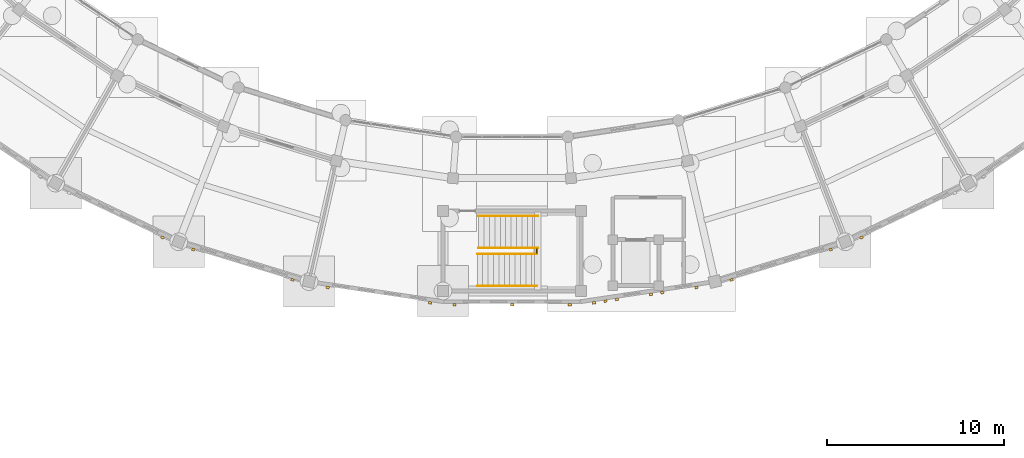
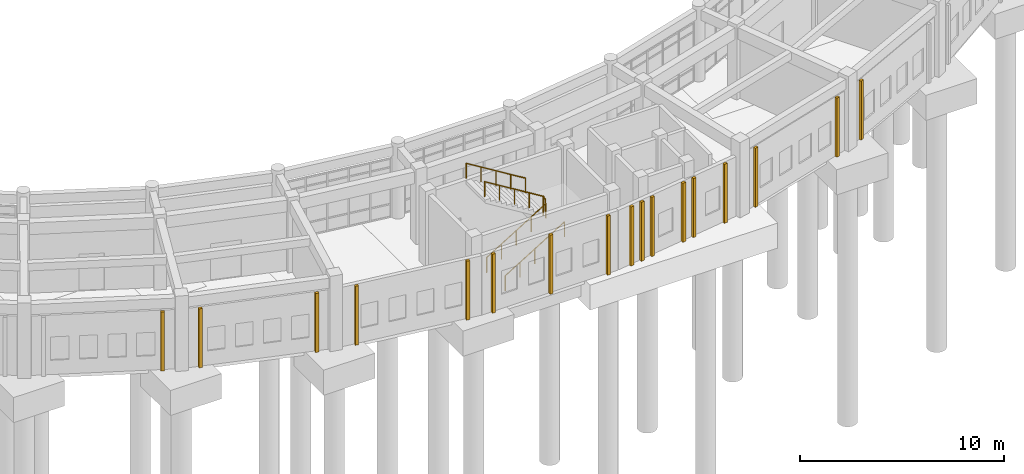
# One storey, part 143 of 153: 17 coverings, 5 railings.
"""IFC4 building model written with IfcOpenShell, lengths in metres."""

from ifc_helpers import new_model, si_unit, direction, frame, origin, origin_2d, place, context, subcontext, project, spatial, rectangle, circle, extrude, material, layer, layer_set, type_object, element, save


model = new_model("IFC4")

# Units and contexts
model_context = context("Model", 3, precision=1e-05, world=origin(), true_north=direction((0.0, 1.0)))
body_context = subcontext(model_context, "Body", "Model", "MODEL_VIEW")
ifc_project = project(units=[si_unit("LENGTHUNIT", "METRE"), si_unit("AREAUNIT", "SQUARE_METRE"), si_unit("VOLUMEUNIT", "CUBIC_METRE"), si_unit("PLANEANGLEUNIT", "RADIAN"), si_unit("MASSUNIT", "GRAM", prefix="KILO")], contexts=[model_context])

# Site, building, storey
site_placement = place(None, origin())
site = spatial("IfcSite", under=ifc_project, at=site_placement, CompositionType="ELEMENT")
building_placement = place(site_placement, origin())
building = spatial("IfcBuilding", under=site, at=building_placement, Name="Celadon Cloister-Ring School", CompositionType="ELEMENT")
storey_placement = place(building_placement, origin())
storey = spatial("IfcBuildingStorey", under=building, at=storey_placement, Name="L00", CompositionType="ELEMENT", Elevation=0.0)

# Coverings
ifc_material_1 = material(Name="Perforated terracotta clay brick masonry", Category="masonry")
ifc_layer = layer(ifc_material_1, 0.139892578125)
ifc_layer_set = layer_set([ifc_layer], Name="Perforated terracotta clay brick masonry")
covering_type = type_object("IfcCoveringType", Name="CV-SC1", PredefinedType="CLADDING", material=ifc_layer_set)
for number, where, z_axis, x_axis, name in (
    (1, (67.2490234375, 10.77099609375, 0.0), (0.0, 0.0, 1.0), (-0.90274301428, 0.430180253114, 0.0), "Brick Screen Rib 0047"),
    (2, (74.591064453125, 8.382080078125, 0.0), (0.0, 0.0, 1.0), (-0.956345569432, 0.29223817654, 0.0), "Brick Screen Rib 0049"),
    (3, (68.99609375, 10.092041015625, 0.0), (0.0, 0.0, 1.0), (-0.956345569432, 0.29223817654, 0.0), "Brick Screen Rib 0050"),
    (4, (82.37109375, 7.080078125, 0.0), (0.0, 0.0, 1.0), (-0.989036491808, 0.147671317024, 0.0), "Brick Screen Rib 0051"),
    (5, (76.5849609375, 7.944091796875, 0.0), (0.0, 0.0, 1.0), (-0.989036491808, 0.147671317024, 0.0), "Brick Screen Rib 0052"),
    (6, (90.259033203125, 6.966064453125, 0.0), (0.0, 0.0, 1.0), (-1.0, 0.0, 0.0), "Brick Screen Rib 0053"),
    (7, (87.009033203125, 6.966064453125, 0.0), (0.0, 0.0, 1.0), (-1.0, 0.0, 0.0), "Brick Screen Rib 0054"),
    (8, (83.759033203125, 6.966064453125, 0.0), (0.0, 0.0, 1.0), (-1.0, 0.0, 0.0), "Brick Screen Rib 0055"),
    (9, (97.424072265625, 7.945068359375, 0.0), (0.0, 0.0, 1.0), (-0.989041645907, -0.147636793048, 0.0), "Brick Screen Rib 0056"),
    (10, (95.4951171875, 7.656982421875, 0.0), (0.0, 0.0, 1.0), (-0.989041645907, -0.147636793048, 0.0), "Brick Screen Rib 0057"),
    (11, (94.85205078125, 7.56103515625, 0.0), (0.0, 0.0, 1.0), (-0.989041645907, -0.147636793048, 0.0), "Brick Screen Rib 0058"),
    (12, (92.923095703125, 7.27392578125, 0.0), (0.0, 0.0, 1.0), (-0.989041645907, -0.147636793048, 0.0), "Brick Screen Rib 0059"),
    (13, (92.281005859375, 7.177978515625, 0.0), (0.0, 0.0, 1.0), (-0.989041645907, -0.147636793048, 0.0), "Brick Screen Rib 0060"),
    (14, (91.637939453125, 7.08203125, 0.0), (0.0, 0.0, 1.0), (-0.989041645907, -0.147636793048, 0.0), "Brick Screen Rib 0061"),
    (15, (105.00390625, 10.092041015625, 0.0), (0.0, 0.0, 1.0), (-0.956345569432, -0.29223817654, 0.0), "Brick Screen Rib 0062"),
    (16, (99.408935546875, 8.382080078125, 0.0), (0.0, 0.0, 1.0), (-0.956345569432, -0.29223817654, 0.0), "Brick Screen Rib 0063"),
    (17, (106.7509765625, 10.77099609375, 0.0), (0.0, 0.0, 1.0), (-0.90274301428, -0.430180253114, 0.0), "Brick Screen Rib 0065"),
):
    element("IfcCovering", number, at=place(storey_placement, frame(where, z_axis=z_axis, x_axis=x_axis)), inside=storey, type_object=covering_type, Name=name, PredefinedType="CLADDING", context=body_context, shape_type="SweptSolid", body=[
        extrude(rectangle(XDim=0.179931640625, YDim=0.139892578125, at=origin_2d()), origin(), (0.0, 0.0, 1.0), 3.530029296875),
    ])

# Railings
ifc_material_2 = material(Name="Structural steel S355JR", Category="steel")
railing_type_1 = type_object("IfcRailingType", Name="RL-BL2", PredefinedType="BALUSTRADE", material=ifc_material_2)
railing_placement = place(storey_placement, frame((88.39501953125, 9.889892578125, 2.25)))
element("IfcRailing", 18, at=railing_placement, inside=storey, type_object=railing_type_1, Name="Interior Guard 0215", PredefinedType="BALUSTRADE", context=body_context, shape_type="SweptSolid", body=[
    extrude(circle(Radius=0.02392578125, at=origin_2d()), frame((0.0, 0.0, 1.09619140625), z_axis=(0.0, 1.0, 0.0), x_axis=(-1.0, 0.0, 0.0)), (0.0, 0.0, 1.0), 0.239990234375),
    extrude(circle(Radius=0.02099609375, at=origin_2d()), origin(), (0.0, 0.0, 1.0), 1.072021484375),
    extrude(circle(Radius=0.02099609375, at=origin_2d()), frame((0.0, 0.239990234375, 0.0)), (0.0, 0.0, 1.0), 1.072021484375),
])
ifc_material_3 = material(Name="Structural steel S355JR", Category="steel")
railing_type_2 = type_object("IfcRailingType", Name="RL-HR1", PredefinedType="HANDRAIL", material=ifc_material_3)
for number, where, name in (
    (19, (85.0400390625, 8.034912109375, 0.18798828125), "Stair Handrail 0211"),
    (20, (85.0400390625, 9.844970703125, 0.18798828125), "Stair Handrail 0212"),
):
    element("IfcRailing", number, at=place(storey_placement, frame(where)), inside=storey, type_object=railing_type_2, Name=name, PredefinedType="HANDRAIL", context=body_context, shape_type="SweptSolid", body=[
        extrude(circle(Radius=0.02099609375, at=origin_2d()), frame((0.0, 0.0, 0.87890625), z_axis=(0.85195193322, 0.0, 0.523619999125), x_axis=(0.0, 1.0, 0.0)), (0.0, 0.0, 1.0), 3.93798828125),
        extrude(circle(Radius=0.01806640625, at=origin_2d()), origin(), (0.0, 0.0, 1.0), 0.85791015625),
        extrude(circle(Radius=0.01806640625, at=origin_2d()), frame((0.8388671875, 0.0, 0.515625)), (0.0, 0.0, 1.0), 0.85791015625),
        extrude(circle(Radius=0.01806640625, at=origin_2d()), frame((1.677490234375, 0.0, 1.031005859375)), (0.0, 0.0, 1.0), 0.85791015625),
        extrude(circle(Radius=0.01806640625, at=origin_2d()), frame((2.51611328125, 0.0, 1.54638671875)), (0.0, 0.0, 1.0), 0.85791015625),
        extrude(circle(Radius=0.01806640625, at=origin_2d()), frame((3.35498046875, 0.0, 2.06201171875)), (0.0, 0.0, 1.0), 0.85791015625),
    ])
for number, where, name in (
    (21, (88.47509765625, 11.985107421875, 2.43798828125), "Stair Handrail 0213"),
    (22, (88.47509765625, 10.175048828125, 2.43798828125), "Stair Handrail 0214"),
):
    element("IfcRailing", number, at=place(storey_placement, frame(where)), inside=storey, type_object=railing_type_2, Name=name, PredefinedType="HANDRAIL", context=body_context, shape_type="SweptSolid", body=[
        extrude(circle(Radius=0.02099609375, at=origin_2d()), frame((0.0, 0.0, 0.87890625), z_axis=(-0.85195193322, 0.0, 0.523619999125), x_axis=(0.0, -1.0, 0.0)), (0.0, 0.0, 1.0), 3.93798828125),
        extrude(circle(Radius=0.01806640625, at=origin_2d()), origin(), (0.0, 0.0, 1.0), 0.85791015625),
        extrude(circle(Radius=0.01806640625, at=origin_2d()), frame((-0.8388671875, 0.0, 0.515625)), (0.0, 0.0, 1.0), 0.85791015625),
        extrude(circle(Radius=0.01806640625, at=origin_2d()), frame((-1.677490234375, 0.0, 1.031005859375)), (0.0, 0.0, 1.0), 0.85791015625),
        extrude(circle(Radius=0.01806640625, at=origin_2d()), frame((-2.51611328125, 0.0, 1.54638671875)), (0.0, 0.0, 1.0), 0.85791015625),
        extrude(circle(Radius=0.01806640625, at=origin_2d()), frame((-3.35498046875, 0.0, 2.06201171875)), (0.0, 0.0, 1.0), 0.85791015625),
    ])

save(model, "model.ifc")
